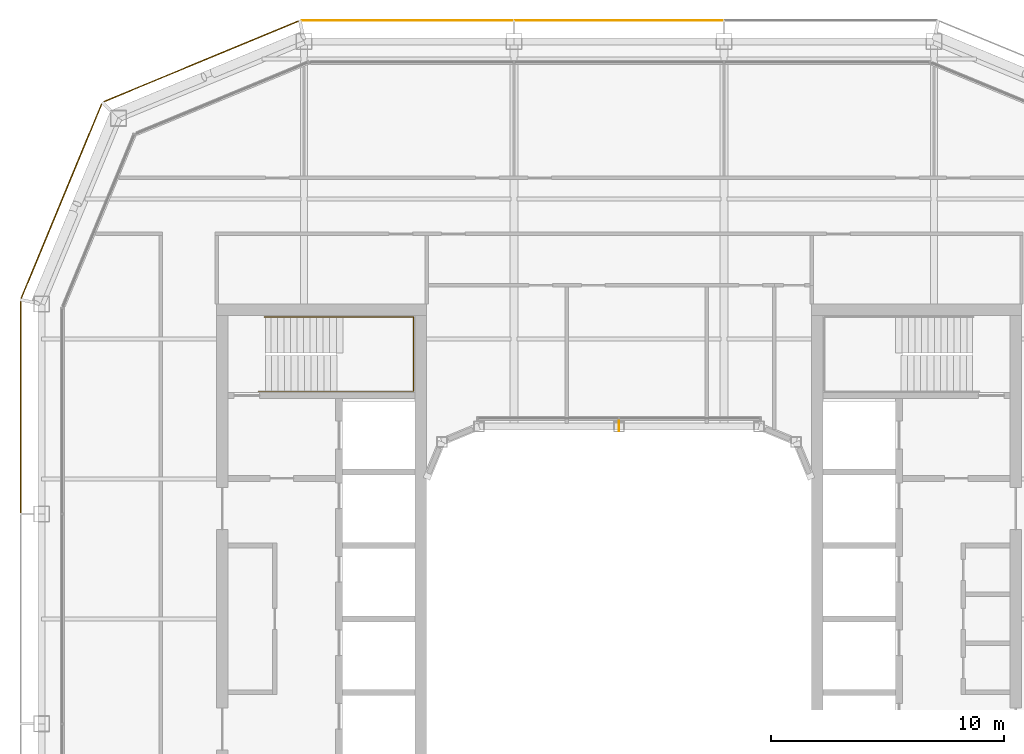
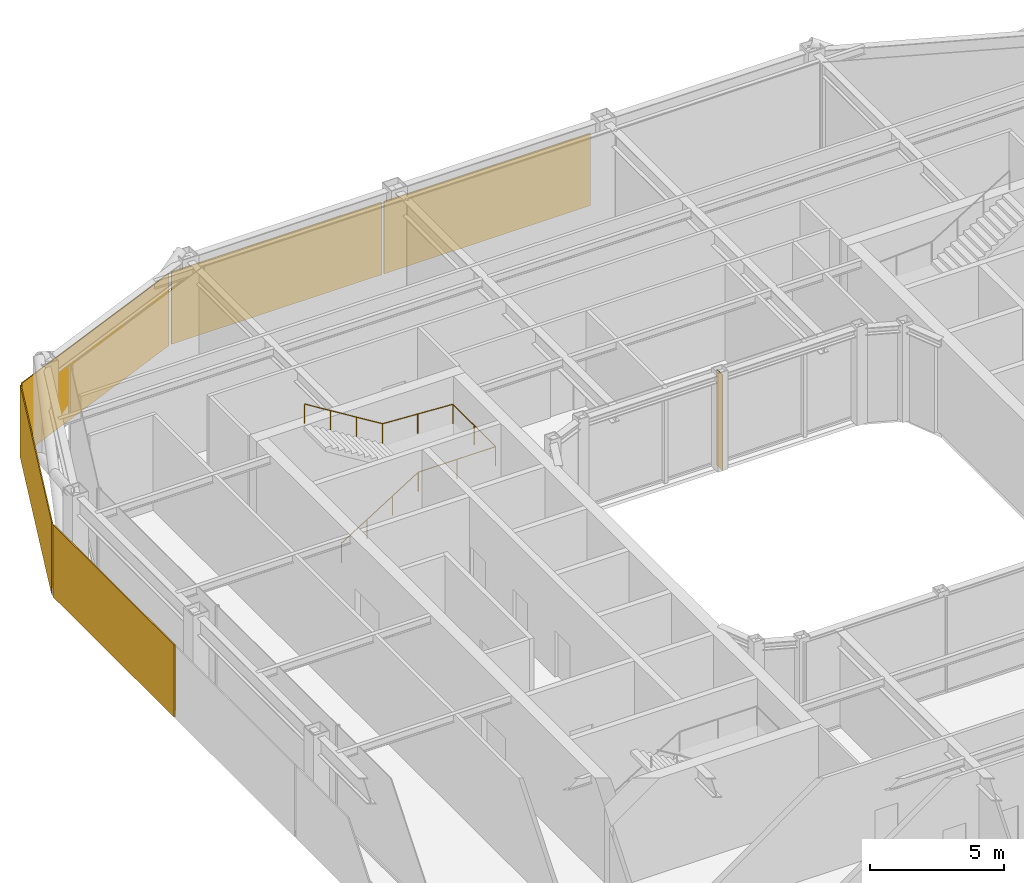
# One storey, part 17 of 18: 5 coverings, 1 railing, 1 shading device.
"""IFC4 building model written with IfcOpenShell, lengths in metres."""

from ifc_helpers import new_model, si_unit, direction, frame, origin, origin_2d, place, context, subcontext, project, spatial, rectangle, circle, extrude, material, layer, layer_set, type_object, element, save


model = new_model("IFC4")

# Units and contexts
model_context = context("Model", 3, precision=1e-05, world=origin(), true_north=direction((0.0, 1.0)))
body_context = subcontext(model_context, "Body", "Model", "MODEL_VIEW")
ifc_project = project(units=[si_unit("LENGTHUNIT", "METRE"), si_unit("AREAUNIT", "SQUARE_METRE"), si_unit("VOLUMEUNIT", "CUBIC_METRE"), si_unit("PLANEANGLEUNIT", "RADIAN"), si_unit("MASSUNIT", "GRAM", prefix="KILO")], contexts=[model_context])

# Site, building, storey
site_placement = place(None, origin())
site = spatial("IfcSite", under=ifc_project, at=site_placement, CompositionType="ELEMENT")
building_placement = place(site_placement, origin())
building = spatial("IfcBuilding", under=site, at=building_placement, Name="Siwar Civic Tower", CompositionType="ELEMENT")
storey_placement = place(building_placement, frame((0.0, 0.0, 321.199951171875)))
storey = spatial("IfcBuildingStorey", under=building, at=storey_placement, Name="L69", CompositionType="ELEMENT", Elevation=321.199951171875)

# Railing
ifc_material_1 = material(Name="Stainless steel", Category="steel")
railing_type = type_object("IfcRailingType", Name="CORE-STAIR-HANDRAIL", PredefinedType="HANDRAIL", material=ifc_material_1)
railing_placement = place(storey_placement, frame((-15.449951171875, 9.758056640625, 0.173095703125)))
element("IfcRailing", 1, at=railing_placement, inside=storey, type_object=railing_type, Name="Stair handrail ST1", PredefinedType="HANDRAIL", context=body_context, shape_type="SweptSolid", body=[
    extrude(circle(Radius=0.02001953125, at=origin_2d()), frame((0.0, 0.0, 0.8798828125), z_axis=(0.847063342986, 0.0, 0.531491950051), x_axis=(0.0, 1.0, 0.0)), (0.0, 0.0, 1.0), 3.90771484375),
    extrude(circle(Radius=0.02001953125, at=origin_2d()), frame((3.31005859375, 0.0, 2.956787109375), z_axis=(1.0, 0.0, 0.0), x_axis=(0.0, 1.0, 0.0)), (0.0, 0.0, 1.0), 3.331787109375),
    extrude(circle(Radius=0.02001953125, at=origin_2d()), frame((6.641845703125, 0.0, 2.956787109375), z_axis=(0.0, 1.0, 0.0), x_axis=(-1.0, 0.0, 0.0)), (0.0, 0.0, 1.0), 3.183837890625),
    extrude(circle(Radius=0.02001953125, at=origin_2d()), frame((6.641845703125, 3.183837890625, 2.956787109375), z_axis=(-0.99837434197, 0.0, 0.056997134106), x_axis=(0.0, -1.0, 0.0)), (0.0, 0.0, 1.0), 3.036865234375),
    extrude(circle(Radius=0.02001953125, at=origin_2d()), frame((3.60986328125, 3.183837890625, 3.1298828125), z_axis=(-0.850606129759, 0.0, 0.525803396734), x_axis=(0.0, -1.0, 0.0)), (0.0, 0.0, 1.0), 3.949951171875),
    extrude(circle(Radius=0.02001953125, at=origin_2d()), origin(), (0.0, 0.0, 1.0), 0.85986328125),
    extrude(circle(Radius=0.02001953125, at=origin_2d()), frame((1.103271484375, 0.0, 0.6923828125)), (0.0, 0.0, 1.0), 0.85986328125),
    extrude(circle(Radius=0.02001953125, at=origin_2d()), frame((2.206787109375, 0.0, 1.384521484375)), (0.0, 0.0, 1.0), 0.85986328125),
    extrude(circle(Radius=0.02001953125, at=origin_2d()), frame((3.31005859375, 0.0, 2.076904296875)), (0.0, 0.0, 1.0), 0.85986328125),
    extrude(circle(Radius=0.02001953125, at=origin_2d()), frame((4.97607421875, 0.0, 2.076904296875)), (0.0, 0.0, 1.0), 0.85986328125),
    extrude(circle(Radius=0.02001953125, at=origin_2d()), frame((6.641845703125, 0.0, 2.076904296875)), (0.0, 0.0, 1.0), 0.85986328125),
    extrude(circle(Radius=0.02001953125, at=origin_2d()), frame((6.641845703125, 1.591796875, 2.076904296875)), (0.0, 0.0, 1.0), 0.85986328125),
    extrude(circle(Radius=0.02001953125, at=origin_2d()), frame((6.641845703125, 3.183837890625, 2.076904296875)), (0.0, 0.0, 1.0), 0.85986328125),
    extrude(circle(Radius=0.02001953125, at=origin_2d()), frame((5.1259765625, 3.183837890625, 2.16357421875)), (0.0, 0.0, 1.0), 0.85986328125),
    extrude(circle(Radius=0.02001953125, at=origin_2d()), frame((3.60986328125, 3.183837890625, 2.25)), (0.0, 0.0, 1.0), 0.85986328125),
    extrude(circle(Radius=0.02001953125, at=origin_2d()), frame((2.489990234375, 3.183837890625, 2.9423828125)), (0.0, 0.0, 1.0), 0.85986328125),
    extrude(circle(Radius=0.02001953125, at=origin_2d()), frame((1.369873046875, 3.183837890625, 3.634521484375)), (0.0, 0.0, 1.0), 0.85986328125),
    extrude(circle(Radius=0.02001953125, at=origin_2d()), frame((0.25, 3.183837890625, 4.326904296875)), (0.0, 0.0, 1.0), 0.85986328125),
])

# Shading device
ifc_material_2 = material(Name="Aluminium 6063-T6", Category="aluminium")
ifc_layer_1 = layer(ifc_material_2, 0.02001953125)
ifc_layer_set_1 = layer_set([ifc_layer_1], Name="Aluminium 6063-T6")
shading_device_type = type_object("IfcShadingDeviceType", Name="ENV-FIN", PredefinedType="JALOUSIE", material=ifc_layer_set_1)
shading_device_placement = place(storey_placement, frame((0.0, 8.27001953125, 0.0), z_axis=(0.0, 0.0, 1.0), x_axis=(-1.0, 0.0, 0.0)))
element("IfcShadingDevice", 2, at=shading_device_placement, inside=storey, type_object=shading_device_type, Name="SUNSHADE fin WN 1", PredefinedType="JALOUSIE", context=body_context, shape_type="SweptSolid", body=[
    extrude(rectangle(XDim=0.02001953125, YDim=0.449951171875, at=origin_2d()), origin(), (0.0, 0.0, 1.0), 4.35009765625),
])

# Coverings
ifc_material_3 = material(Name="Perforated aluminium cassette, pale metal", Category="aluminium")
ifc_layer_2 = layer(ifc_material_3, 0.0400390625)
ifc_layer_set_2 = layer_set([ifc_layer_2], Name="Perforated aluminium cassette, pale metal")
covering_type_1 = type_object("IfcCoveringType", Name="ENV-OUTER SKIN OS-1", PredefinedType="CLADDING", material=ifc_layer_set_2)
covering_1_placement = place(storey_placement, frame((0.0, 25.64990234375, -0.14990234375), z_axis=(0.0, 0.0, 1.0), x_axis=(-1.0, 0.0, 0.0)))
element("IfcCovering", 3, at=covering_1_placement, inside=storey, type_object=covering_type_1, Name="OUTER SKIN OS-1 N 2", PredefinedType="CLADDING", context=body_context, shape_type="SweptSolid", body=[
    extrude(rectangle(XDim=8.89990234375, YDim=0.0400390625, at=origin_2d()), origin(), (0.0, 0.0, 1.0), 3.300048828125),
])
covering_2_placement = place(storey_placement, frame((-9.07958984375, 25.64990234375, -0.14990234375), z_axis=(0.0, 0.0, 1.0), x_axis=(-1.0, 0.0, 0.0)))
element("IfcCovering", 4, at=covering_2_placement, inside=storey, type_object=covering_type_1, Name="OUTER SKIN OS-1 N 3", PredefinedType="CLADDING", context=body_context, shape_type="SweptSolid", body=[
    extrude(rectangle(XDim=9.05908203125, YDim=0.0400390625, at=origin_2d()), origin(), (0.0, 0.0, 1.0), 3.300048828125),
])
covering_3_placement = place(storey_placement, frame((-17.911376953125, 23.89697265625, -0.14990234375), z_axis=(0.0, 0.0, 1.0), x_axis=(-0.923879532511, -0.382683432365, 0.0)))
element("IfcCovering", 5, at=covering_3_placement, inside=storey, type_object=covering_type_1, Name="OUTER SKIN OS-1 NW1 1", PredefinedType="CLADDING", context=body_context, shape_type="SweptSolid", body=[
    extrude(rectangle(XDim=9.022216796875, YDim=0.0400390625, at=origin_2d()), origin(), (0.0, 0.0, 1.0), 3.300048828125),
])
ifc_material_4 = material(Name="Perforated aluminium cassette, pale metal", Category="aluminium")
ifc_layer_3 = layer(ifc_material_4, 0.044921875)
ifc_layer_set_3 = layer_set([ifc_layer_3], Name="Perforated aluminium cassette, pale metal")
covering_type_2 = type_object("IfcCoveringType", Name="ENV-OUTER SKIN OS-2", PredefinedType="CLADDING", material=ifc_layer_set_3)
covering_4_placement = place(storey_placement, frame((-23.89697265625, 17.911376953125, -0.14990234375), z_axis=(0.0, 0.0, 1.0), x_axis=(-0.382683432365, -0.923879532511, 0.0)))
element("IfcCovering", 6, at=covering_4_placement, inside=storey, type_object=covering_type_2, Name="OUTER SKIN OS-2 NW2 1", PredefinedType="CLADDING", context=body_context, shape_type="SweptSolid", body=[
    extrude(rectangle(XDim=9.022216796875, YDim=0.044921875, at=origin_2d()), origin(), (0.0, 0.0, 1.0), 3.300048828125),
])
ifc_material_5 = material(Name="Perforated aluminium cassette, pale metal", Category="aluminium")
ifc_layer_4 = layer(ifc_material_5, 0.050048828125)
ifc_layer_set_4 = layer_set([ifc_layer_4], Name="Perforated aluminium cassette, pale metal")
covering_type_3 = type_object("IfcCoveringType", Name="ENV-OUTER SKIN OS-3", PredefinedType="CLADDING", material=ifc_layer_set_4)
covering_5_placement = place(storey_placement, frame((-25.64990234375, 9.07958984375, -0.14990234375), z_axis=(0.0, 0.0, 1.0), x_axis=(0.0, -1.0, 0.0)))
element("IfcCovering", 7, at=covering_5_placement, inside=storey, type_object=covering_type_3, Name="OUTER SKIN OS-3 W 1", PredefinedType="CLADDING", context=body_context, shape_type="SweptSolid", body=[
    extrude(rectangle(XDim=9.05908203125, YDim=0.050048828125, at=origin_2d()), origin(), (0.0, 0.0, 1.0), 3.300048828125),
])

save(model, "model.ifc")
